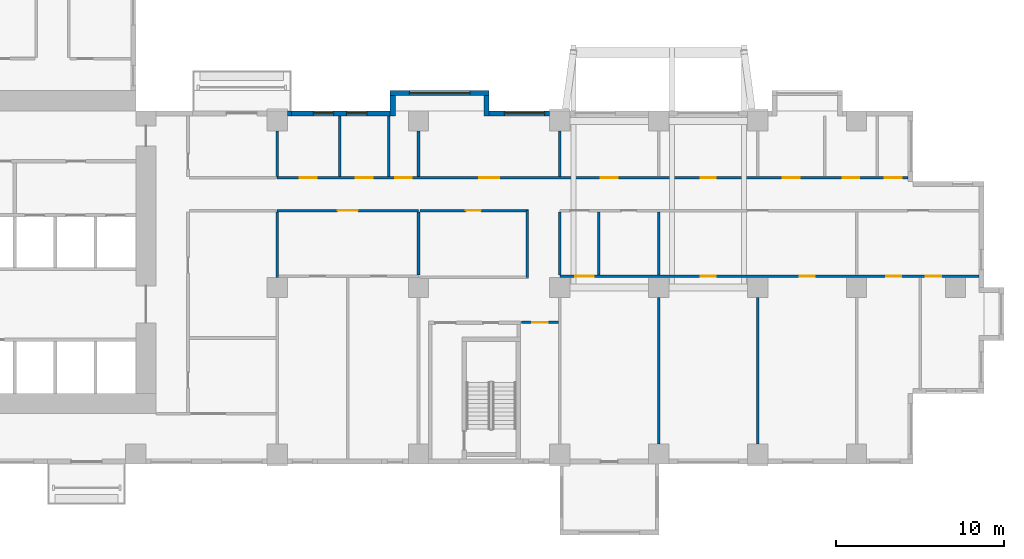
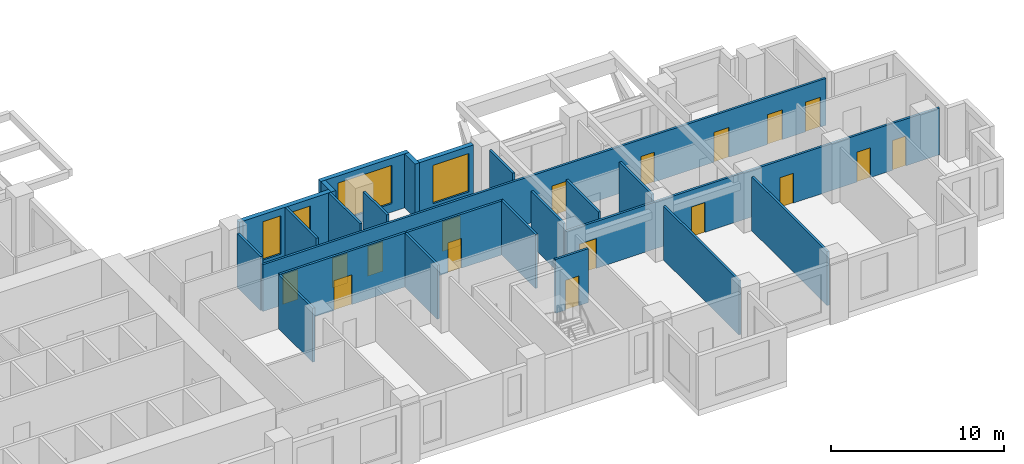
# One storey, part 5 of 14: 24 walls, 17 doors, 4 windows, 21 openings.
"""IFC4 building model written with IfcOpenShell, lengths in metres."""

from ifc_helpers import new_model, si_unit, direction, frame, frame_2d, origin, place, context, subcontext, project, spatial, rectangle, extrude, source, transform, mapped, material, layer, layer_set, type_object, element, fill, save


model = new_model("IFC4")

# Units and contexts
model_context = context("Model", 3, precision=1e-05, world=origin(), true_north=direction((0.0, 1.0)))
body_context = subcontext(model_context, "Body", "Model", "MODEL_VIEW")
ifc_project = project(units=[si_unit("LENGTHUNIT", "METRE"), si_unit("AREAUNIT", "SQUARE_METRE"), si_unit("VOLUMEUNIT", "CUBIC_METRE"), si_unit("PLANEANGLEUNIT", "RADIAN"), si_unit("MASSUNIT", "GRAM", prefix="KILO")], contexts=[model_context])

# Site, building, storey
site_placement = place(None, origin())
site = spatial("IfcSite", under=ifc_project, at=site_placement, CompositionType="ELEMENT")
building_placement = place(site_placement, origin())
building = spatial("IfcBuilding", under=site, at=building_placement, Name="Aurelian Terraces", CompositionType="ELEMENT")
storey_placement = place(building_placement, frame((0.0, 0.0, 44.7)))
storey = spatial("IfcBuildingStorey", under=building, at=storey_placement, Name="L08", CompositionType="ELEMENT", Elevation=44.7)

# Wall, openings, doors
ifc_material_1 = material(Name="Gypsum board on steel studs", Category="steel")
ifc_layer_1 = layer(ifc_material_1, 0.15)
ifc_layer_set_1 = layer_set([ifc_layer_1], Name="Fire partition 150")
wall_type_1 = type_object("IfcWallType", Name="Fire partition 150", PredefinedType="PARTITIONING", material=ifc_layer_set_1)
wall_1_placement = place(storey_placement, frame((29.4, 17.025, 0.0), z_axis=(0.0, 0.0, 1.0), x_axis=(1.0, 0.0, 0.0)))
wall_1 = element("IfcWall", 1, at=wall_1_placement, inside=storey, type_object=wall_type_1, Name="Corridor wall", PredefinedType="PARTITIONING", context=body_context, shape_type="SweptSolid", body=[
    extrude(rectangle(XDim=37.5, YDim=0.15, at=frame_2d((18.75, 0.0))), origin(), (0.0, 0.0, 1.0), 3.3),
])
shared_shape_1 = source(origin(), body_context, "Body", "SweptSolid", [
    extrude(rectangle(XDim=1.0, YDim=2.1, at=frame_2d((0.5, 1.05))), frame((0.0, 0.085, 0.0), z_axis=(0.0, -1.0, 0.0), x_axis=(1.0, 0.0, 0.0)), (0.0, 0.0, 1.0), 0.17),
])
opening_1_placement = place(wall_1_placement, frame((1.3567, 0.0, 0.0)))
opening_1 = element("IfcOpeningElement", 2, at=opening_1_placement, cuts=wall_1, Name="Opening 708019", PredefinedType="OPENING", context=body_context, shape_type="MappedRepresentation", body=[
    mapped(shared_shape_1, transform((0.0, 0.0, 0.0), scale=1.0)),
])
opening_2_placement = place(wall_1_placement, frame((4.6686, 0.0, 0.0)))
opening_2 = element("IfcOpeningElement", 3, at=opening_2_placement, cuts=wall_1, Name="Opening 708020", PredefinedType="OPENING", context=body_context, shape_type="MappedRepresentation", body=[
    mapped(shared_shape_1, transform((0.0, 0.0, 0.0), scale=1.0)),
])
opening_3_placement = place(wall_1_placement, frame((7.012, 0.0, 0.0)))
opening_3 = element("IfcOpeningElement", 4, at=opening_3_placement, cuts=wall_1, Name="Opening 708021", PredefinedType="OPENING", context=body_context, shape_type="MappedRepresentation", body=[
    mapped(shared_shape_1, transform((0.0, 0.0, 0.0), scale=1.0)),
])
shared_shape_2 = source(origin(), body_context, "Body", "SweptSolid", [
    extrude(rectangle(XDim=1.2, YDim=2.1, at=frame_2d((0.6, 1.05))), frame((0.0, 0.085, 0.0), z_axis=(0.0, -1.0, 0.0), x_axis=(1.0, 0.0, 0.0)), (0.0, 0.0, 1.0), 0.17),
])
opening_4_placement = place(wall_1_placement, frame((12.0, 0.0, 0.0)))
opening_4 = element("IfcOpeningElement", 5, at=opening_4_placement, cuts=wall_1, Name="Opening 708022", PredefinedType="OPENING", context=body_context, shape_type="MappedRepresentation", body=[
    mapped(shared_shape_2, transform((0.0, 0.0, 0.0), scale=1.0)),
])
opening_5_placement = place(wall_1_placement, frame((19.24, 0.0, 0.0)))
opening_5 = element("IfcOpeningElement", 6, at=opening_5_placement, cuts=wall_1, Name="Opening 708023", PredefinedType="OPENING", context=body_context, shape_type="MappedRepresentation", body=[
    mapped(shared_shape_1, transform((0.0, 0.0, 0.0), scale=1.0)),
])
shared_shape_3 = source(origin(), body_context, "Body", "SweptSolid", [
    extrude(rectangle(XDim=0.9, YDim=2.1, at=frame_2d((0.45, 1.05))), frame((0.0, 0.085, 0.0), z_axis=(0.0, -1.0, 0.0), x_axis=(1.0, 0.0, 0.0)), (0.0, 0.0, 1.0), 0.17),
])
opening_6_placement = place(wall_1_placement, frame((25.17, 0.0, 0.0)))
opening_6 = element("IfcOpeningElement", 7, at=opening_6_placement, cuts=wall_1, Name="Opening 708024", PredefinedType="OPENING", context=body_context, shape_type="MappedRepresentation", body=[
    mapped(shared_shape_3, transform((0.0, 0.0, 0.0), scale=1.0)),
])
opening_7_placement = place(wall_1_placement, frame((30.0523, 0.0, 0.0)))
opening_7 = element("IfcOpeningElement", 8, at=opening_7_placement, cuts=wall_1, Name="Opening 708025", PredefinedType="OPENING", context=body_context, shape_type="MappedRepresentation", body=[
    mapped(shared_shape_1, transform((0.0, 0.0, 0.0), scale=1.0)),
])
opening_8_placement = place(wall_1_placement, frame((33.6084, 0.0, 0.0)))
opening_8 = element("IfcOpeningElement", 9, at=opening_8_placement, cuts=wall_1, Name="Opening 708026", PredefinedType="OPENING", context=body_context, shape_type="MappedRepresentation", body=[
    mapped(shared_shape_1, transform((0.0, 0.0, 0.0), scale=1.0)),
])
opening_9_placement = place(wall_1_placement, frame((36.1236, 0.0, 0.0)))
opening_9 = element("IfcOpeningElement", 10, at=opening_9_placement, cuts=wall_1, Name="Opening 708027", PredefinedType="OPENING", context=body_context, shape_type="MappedRepresentation", body=[
    mapped(shared_shape_1, transform((0.0, 0.0, 0.0), scale=1.0)),
])
ifc_material_2 = material(Name="Timber door leaf", Category="wood")
door_type_1 = type_object("IfcDoorType", Name="Room door 1000x2100 right", OperationType="SINGLE_SWING_RIGHT", PredefinedType="DOOR", material=ifc_material_2)
shared_shape_4 = source(origin(), body_context, "Body", "SweptSolid", [
    extrude(rectangle(XDim=1.0, YDim=2.1, at=frame_2d((0.5, 1.05))), frame((0.0, 0.025, 0.0), z_axis=(0.0, -1.0, 0.0), x_axis=(1.0, 0.0, 0.0)), (0.0, 0.0, 1.0), 0.05),
])
door_1_placement = place(opening_1_placement, origin())
door_1 = element("IfcDoor", 11, at=door_1_placement, inside=storey, type_object=door_type_1, Name="Door 708019", OperationType="SINGLE_SWING_RIGHT", OverallHeight=2.1, OverallWidth=1.0, PredefinedType="DOOR", context=body_context, shape_type="MappedRepresentation", body=[
    mapped(shared_shape_4, transform((0.0, 0.0, 0.0), scale=1.0)),
])
fill(opening_1, door_1)
door_type_2 = type_object("IfcDoorType", Name="Room door 1000x2100 left", OperationType="SINGLE_SWING_LEFT", PredefinedType="DOOR", material=ifc_material_2)
door_2_placement = place(opening_2_placement, origin())
door_2 = element("IfcDoor", 12, at=door_2_placement, inside=storey, type_object=door_type_2, Name="Door 708020", OperationType="SINGLE_SWING_LEFT", OverallHeight=2.1, OverallWidth=1.0, PredefinedType="DOOR", context=body_context, shape_type="MappedRepresentation", body=[
    mapped(shared_shape_4, transform((0.0, 0.0, 0.0), scale=1.0)),
])
fill(opening_2, door_2)
door_3_placement = place(opening_3_placement, origin())
door_3 = element("IfcDoor", 13, at=door_3_placement, inside=storey, type_object=door_type_1, Name="Door 708021", OperationType="SINGLE_SWING_RIGHT", OverallHeight=2.1, OverallWidth=1.0, PredefinedType="DOOR", context=body_context, shape_type="MappedRepresentation", body=[
    mapped(shared_shape_4, transform((0.0, 0.0, 0.0), scale=1.0)),
])
fill(opening_3, door_3)
door_4_placement = place(opening_5_placement, origin())
door_4 = element("IfcDoor", 14, at=door_4_placement, inside=storey, type_object=door_type_1, Name="Door 708023", OperationType="SINGLE_SWING_RIGHT", OverallHeight=2.1, OverallWidth=1.0, PredefinedType="DOOR", context=body_context, shape_type="MappedRepresentation", body=[
    mapped(shared_shape_4, transform((0.0, 0.0, 0.0), scale=1.0)),
])
fill(opening_5, door_4)
door_5_placement = place(opening_7_placement, origin())
door_5 = element("IfcDoor", 15, at=door_5_placement, inside=storey, type_object=door_type_1, Name="Door 708025", OperationType="SINGLE_SWING_RIGHT", OverallHeight=2.1, OverallWidth=1.0, PredefinedType="DOOR", context=body_context, shape_type="MappedRepresentation", body=[
    mapped(shared_shape_4, transform((0.0, 0.0, 0.0), scale=1.0)),
])
fill(opening_7, door_5)
door_6_placement = place(opening_8_placement, origin())
door_6 = element("IfcDoor", 16, at=door_6_placement, inside=storey, type_object=door_type_2, Name="Door 708026", OperationType="SINGLE_SWING_LEFT", OverallHeight=2.1, OverallWidth=1.0, PredefinedType="DOOR", context=body_context, shape_type="MappedRepresentation", body=[
    mapped(shared_shape_4, transform((0.0, 0.0, 0.0), scale=1.0)),
])
fill(opening_8, door_6)
door_7_placement = place(opening_9_placement, origin())
door_7 = element("IfcDoor", 17, at=door_7_placement, inside=storey, type_object=door_type_1, Name="Door 708027", OperationType="SINGLE_SWING_RIGHT", OverallHeight=2.1, OverallWidth=1.0, PredefinedType="DOOR", context=body_context, shape_type="MappedRepresentation", body=[
    mapped(shared_shape_4, transform((0.0, 0.0, 0.0), scale=1.0)),
])
fill(opening_9, door_7)
door_type_3 = type_object("IfcDoorType", Name="Room door 900x2100 right", OperationType="SINGLE_SWING_RIGHT", PredefinedType="DOOR", material=ifc_material_2)
shared_shape_5 = source(origin(), body_context, "Body", "SweptSolid", [
    extrude(rectangle(XDim=0.9, YDim=2.1, at=frame_2d((0.45, 1.05))), frame((0.0, 0.025, 0.0), z_axis=(0.0, -1.0, 0.0), x_axis=(1.0, 0.0, 0.0)), (0.0, 0.0, 1.0), 0.05),
])
door_8_placement = place(opening_6_placement, origin())
door_8 = element("IfcDoor", 18, at=door_8_placement, inside=storey, type_object=door_type_3, Name="Door 708024", OperationType="SINGLE_SWING_RIGHT", OverallHeight=2.1, OverallWidth=0.9, PredefinedType="DOOR", context=body_context, shape_type="MappedRepresentation", body=[
    mapped(shared_shape_5, transform((0.0, 0.0, 0.0), scale=1.0)),
])
fill(opening_6, door_8)
door_type_4 = type_object("IfcDoorType", Name="Room door 1200x2100 right", OperationType="SINGLE_SWING_RIGHT", PredefinedType="DOOR", material=ifc_material_2)
shared_shape_6 = source(origin(), body_context, "Body", "SweptSolid", [
    extrude(rectangle(XDim=1.2, YDim=2.1, at=frame_2d((0.6, 1.05))), frame((0.0, 0.025, 0.0), z_axis=(0.0, -1.0, 0.0), x_axis=(1.0, 0.0, 0.0)), (0.0, 0.0, 1.0), 0.05),
])
door_9_placement = place(opening_4_placement, origin())
door_9 = element("IfcDoor", 19, at=door_9_placement, inside=storey, type_object=door_type_4, Name="Door 708022", OperationType="SINGLE_SWING_RIGHT", OverallHeight=2.1, OverallWidth=1.2, PredefinedType="DOOR", context=body_context, shape_type="MappedRepresentation", body=[
    mapped(shared_shape_6, transform((0.0, 0.0, 0.0), scale=1.0)),
])
fill(opening_4, door_9)

ifc_layer_2 = layer(ifc_material_1, 0.15)
ifc_layer_set_2 = layer_set([ifc_layer_2], Name="Partition 150")
wall_type_2 = type_object("IfcWallType", Name="Partition 150", PredefinedType="PARTITIONING", material=ifc_layer_set_2)
wall_2_placement = place(storey_placement, frame((71.1, 11.175, 0.0), z_axis=(0.0, 0.0, 1.0), x_axis=(-1.0, 0.0, 0.0)))
wall_2 = element("IfcWall", 20, at=wall_2_placement, inside=storey, type_object=wall_type_2, Name="Partition", PredefinedType="PARTITIONING", context=body_context, shape_type="SweptSolid", body=[
    extrude(rectangle(XDim=24.9, YDim=0.15, at=frame_2d((12.45, 0.0))), origin(), (0.0, 0.0, 1.0), 3.3),
])
shared_shape_7 = source(origin(), body_context, "Body", "SweptSolid", [
    extrude(rectangle(XDim=1.1, YDim=2.1, at=frame_2d((0.55, 1.05))), frame((0.0, 0.085, 0.0), z_axis=(0.0, -1.0, 0.0), x_axis=(1.0, 0.0, 0.0)), (0.0, 0.0, 1.0), 0.17),
])
opening_10_placement = place(wall_2_placement, frame((22.875, 0.0, 0.0)))
opening_10 = element("IfcOpeningElement", 21, at=opening_10_placement, cuts=wall_2, Name="Opening 708011", PredefinedType="OPENING", context=body_context, shape_type="MappedRepresentation", body=[
    mapped(shared_shape_7, transform((0.0, 0.0, 0.0), scale=1.0)),
])
opening_11_placement = place(wall_2_placement, frame((15.6325, 0.0, 0.0)))
opening_11 = element("IfcOpeningElement", 22, at=opening_11_placement, cuts=wall_2, Name="Opening 708014", PredefinedType="OPENING", context=body_context, shape_type="MappedRepresentation", body=[
    mapped(shared_shape_3, transform((0.0, 0.0, 0.0), scale=1.0)),
])
opening_12_placement = place(wall_2_placement, frame((9.7525, 0.0, 0.0)))
opening_12 = element("IfcOpeningElement", 23, at=opening_12_placement, cuts=wall_2, Name="Opening 708015", PredefinedType="OPENING", context=body_context, shape_type="MappedRepresentation", body=[
    mapped(shared_shape_3, transform((0.0, 0.0, 0.0), scale=1.0)),
])
opening_13_placement = place(wall_2_placement, frame((4.6075, 0.0, 0.0)))
opening_13 = element("IfcOpeningElement", 24, at=opening_13_placement, cuts=wall_2, Name="Opening 708017", PredefinedType="OPENING", context=body_context, shape_type="MappedRepresentation", body=[
    mapped(shared_shape_3, transform((0.0, 0.0, 0.0), scale=1.0)),
])
opening_14_placement = place(wall_2_placement, frame((2.2425, 0.0, 0.0)))
opening_14 = element("IfcOpeningElement", 25, at=opening_14_placement, cuts=wall_2, Name="Opening 708018", PredefinedType="OPENING", context=body_context, shape_type="MappedRepresentation", body=[
    mapped(shared_shape_3, transform((0.0, 0.0, 0.0), scale=1.0)),
])
door_type_5 = type_object("IfcDoorType", Name="Room door 900x2100 left", OperationType="SINGLE_SWING_LEFT", PredefinedType="DOOR", material=ifc_material_2)
door_10_placement = place(opening_11_placement, origin())
door_10 = element("IfcDoor", 26, at=door_10_placement, inside=storey, type_object=door_type_5, Name="Door 708014", OperationType="SINGLE_SWING_LEFT", OverallHeight=2.1, OverallWidth=0.9, PredefinedType="DOOR", context=body_context, shape_type="MappedRepresentation", body=[
    mapped(shared_shape_5, transform((0.0, 0.0, 0.0), scale=1.0)),
])
fill(opening_11, door_10)
door_11_placement = place(opening_12_placement, origin())
door_11 = element("IfcDoor", 27, at=door_11_placement, inside=storey, type_object=door_type_3, Name="Door 708015", OperationType="SINGLE_SWING_RIGHT", OverallHeight=2.1, OverallWidth=0.9, PredefinedType="DOOR", context=body_context, shape_type="MappedRepresentation", body=[
    mapped(shared_shape_5, transform((0.0, 0.0, 0.0), scale=1.0)),
])
fill(opening_12, door_11)
door_12_placement = place(opening_13_placement, origin())
door_12 = element("IfcDoor", 28, at=door_12_placement, inside=storey, type_object=door_type_5, Name="Door 708017", OperationType="SINGLE_SWING_LEFT", OverallHeight=2.1, OverallWidth=0.9, PredefinedType="DOOR", context=body_context, shape_type="MappedRepresentation", body=[
    mapped(shared_shape_5, transform((0.0, 0.0, 0.0), scale=1.0)),
])
fill(opening_13, door_12)
door_13_placement = place(opening_14_placement, origin())
door_13 = element("IfcDoor", 29, at=door_13_placement, inside=storey, type_object=door_type_3, Name="Door 708018", OperationType="SINGLE_SWING_RIGHT", OverallHeight=2.1, OverallWidth=0.9, PredefinedType="DOOR", context=body_context, shape_type="MappedRepresentation", body=[
    mapped(shared_shape_5, transform((0.0, 0.0, 0.0), scale=1.0)),
])
fill(opening_14, door_13)
door_type_6 = type_object("IfcDoorType", Name="Room door 1100x2100 left", OperationType="SINGLE_SWING_LEFT", PredefinedType="DOOR", material=ifc_material_2)
shared_shape_8 = source(origin(), body_context, "Body", "SweptSolid", [
    extrude(rectangle(XDim=1.1, YDim=2.1, at=frame_2d((0.55, 1.05))), frame((0.0, 0.025, 0.0), z_axis=(0.0, -1.0, 0.0), x_axis=(1.0, 0.0, 0.0)), (0.0, 0.0, 1.0), 0.05),
])
door_14_placement = place(opening_10_placement, origin())
door_14 = element("IfcDoor", 30, at=door_14_placement, inside=storey, type_object=door_type_6, Name="Door 708011", OperationType="SINGLE_SWING_LEFT", OverallHeight=2.1, OverallWidth=1.1, PredefinedType="DOOR", context=body_context, shape_type="MappedRepresentation", body=[
    mapped(shared_shape_8, transform((0.0, 0.0, 0.0), scale=1.0)),
])
fill(opening_10, door_14)

# Walls
ifc_material_3 = material(Name="Terracotta rainscreen cladding", Category="masonry")
ifc_layer_3 = layer(ifc_material_3, 0.3)
ifc_layer_set_3 = layer_set([ifc_layer_3], Name="EW-300")
wall_type_3 = type_object("IfcWallType", Name="EW-300", PredefinedType="STANDARD", material=ifc_layer_set_3)
shared_shape_9 = source(origin(), body_context, "Body", "SweptSolid", [
    extrude(rectangle(XDim=1.2, YDim=0.3, at=frame_2d((0.6, 0.0))), origin(), (0.0, 0.0, 1.0), 3.8),
])
for number, where, z_axis, x_axis, name in (
    (31, (41.85, 20.7, 0.0), (0.0, 0.0, 1.0), (0.0, 1.0, 0.0), "Bay return L08 F07.24.1"),
    (32, (36.27, 20.7, 0.0), (0.0, 0.0, 1.0), (0.0, 1.0, 0.0), "Bay return L08 F07.24.2"),
):
    element("IfcWall", number, at=place(storey_placement, frame(where, z_axis=z_axis, x_axis=x_axis)), inside=storey, type_object=wall_type_3, Name=name, PredefinedType="STANDARD", context=body_context, shape_type="MappedRepresentation", body=[
        mapped(shared_shape_9, transform((0.0, 0.0, 0.0), scale=1.0)),
    ])
shared_shape_10 = source(origin(), body_context, "Body", "SweptSolid", [
    extrude(rectangle(XDim=0.24, YDim=0.3, at=frame_2d((0.12, 0.0))), origin(), (0.0, 0.0, 1.0), 3.8),
])
wall_3_placement = place(storey_placement, frame((30.24, 20.85, 0.0), z_axis=(0.0, 0.0, 1.0), x_axis=(-1.0, 0.0, 0.0)))
element("IfcWall", 33, at=wall_3_placement, inside=storey, type_object=wall_type_3, Name="External wall L08 F07.26", PredefinedType="STANDARD", context=body_context, shape_type="MappedRepresentation", body=[
    mapped(shared_shape_10, transform((0.0, 0.0, 0.0), scale=1.0)),
])

# Wall, opening, window
shared_shape_11 = source(origin(), body_context, "Body", "SweptSolid", [
    extrude(rectangle(XDim=5.88, YDim=0.3, at=frame_2d((2.94, 0.0))), origin(), (0.0, 0.0, 1.0), 3.8),
])
wall_4_placement = place(storey_placement, frame((42.0, 22.05, 0.0), z_axis=(0.0, 0.0, 1.0), x_axis=(-1.0, 0.0, 0.0)))
wall_4 = element("IfcWall", 34, at=wall_4_placement, inside=storey, type_object=wall_type_3, Name="Bay wall L08 F07.24", PredefinedType="STANDARD", context=body_context, shape_type="MappedRepresentation", body=[
    mapped(shared_shape_11, transform((0.0, 0.0, 0.0), scale=1.0)),
])
shared_shape_12 = source(origin(), body_context, "Body", "SweptSolid", [
    extrude(rectangle(XDim=3.6, YDim=2.7, at=frame_2d((1.8, 1.35))), frame((0.0, 0.16, 0.0), z_axis=(0.0, -1.0, 0.0), x_axis=(1.0, 0.0, 0.0)), (0.0, 0.0, 1.0), 0.32),
])
opening_15_placement = place(wall_4_placement, frame((1.14, 0.0, 0.6)))
opening_15 = element("IfcOpeningElement", 35, at=opening_15_placement, cuts=wall_4, Name="Opening W3627", PredefinedType="OPENING", context=body_context, shape_type="MappedRepresentation", body=[
    mapped(shared_shape_12, transform((0.0, 0.0, 0.0), scale=1.0)),
])
ifc_material_4 = material(Name="Clear glazing", Category="glass")
window_type_1 = type_object("IfcWindowType", Name="W-3600x2700", PartitioningType="SINGLE_PANEL", PredefinedType="WINDOW", material=ifc_material_4)
shared_shape_13 = source(origin(), body_context, "Body", "SweptSolid", [
    extrude(rectangle(XDim=3.6, YDim=2.7, at=frame_2d((1.8, 1.35))), frame((0.0, 0.03, 0.0), z_axis=(0.0, -1.0, 0.0), x_axis=(1.0, 0.0, 0.0)), (0.0, 0.0, 1.0), 0.06),
])
window_1_placement = place(opening_15_placement, origin())
window_1 = element("IfcWindow", 36, at=window_1_placement, inside=storey, type_object=window_type_1, Name="Window L08 L08-F07-24-0", OverallHeight=2.7, OverallWidth=3.6, PartitioningType="SINGLE_PANEL", PredefinedType="WINDOW", context=body_context, shape_type="MappedRepresentation", body=[
    mapped(shared_shape_13, transform((0.0, 0.0, 0.0), scale=1.0)),
])
fill(opening_15, window_1)

# Wall, openings, windows
wall_5_placement = place(storey_placement, frame((36.12, 20.85, 0.0), z_axis=(0.0, 0.0, 1.0), x_axis=(-1.0, 0.0, 0.0)))
wall_5 = element("IfcWall", 37, at=wall_5_placement, inside=storey, type_object=wall_type_3, Name="External wall L08 F07.25", PredefinedType="STANDARD", context=body_context, shape_type="MappedRepresentation", body=[
    mapped(shared_shape_11, transform((0.0, 0.0, 0.0), scale=1.0)),
])
shared_shape_14 = source(origin(), body_context, "Body", "SweptSolid", [
    extrude(rectangle(XDim=1.2, YDim=2.7, at=frame_2d((0.6, 1.35))), frame((0.0, 0.16, 0.0), z_axis=(0.0, -1.0, 0.0), x_axis=(1.0, 0.0, 0.0)), (0.0, 0.0, 1.0), 0.32),
])
opening_16_placement = place(wall_5_placement, frame((1.386, 0.0, 0.6)))
opening_16 = element("IfcOpeningElement", 38, at=opening_16_placement, cuts=wall_5, Name="Opening W1227", PredefinedType="OPENING", context=body_context, shape_type="MappedRepresentation", body=[
    mapped(shared_shape_14, transform((0.0, 0.0, 0.0), scale=1.0)),
])
opening_17_placement = place(wall_5_placement, frame((3.361, 0.0, 0.6)))
opening_17 = element("IfcOpeningElement", 39, at=opening_17_placement, cuts=wall_5, Name="Opening W1227", PredefinedType="OPENING", context=body_context, shape_type="MappedRepresentation", body=[
    mapped(shared_shape_14, transform((0.0, 0.0, 0.0), scale=1.0)),
])
window_type_2 = type_object("IfcWindowType", Name="W-1200x2700", PartitioningType="SINGLE_PANEL", PredefinedType="WINDOW", material=ifc_material_4)
shared_shape_15 = source(origin(), body_context, "Body", "SweptSolid", [
    extrude(rectangle(XDim=1.2, YDim=2.7, at=frame_2d((0.6, 1.35))), frame((0.0, 0.03, 0.0), z_axis=(0.0, -1.0, 0.0), x_axis=(1.0, 0.0, 0.0)), (0.0, 0.0, 1.0), 0.06),
])
window_2_placement = place(opening_16_placement, origin())
window_2 = element("IfcWindow", 40, at=window_2_placement, inside=storey, type_object=window_type_2, Name="Window L08 L08-F07-25-0.1", OverallHeight=2.7, OverallWidth=1.2, PartitioningType="SINGLE_PANEL", PredefinedType="WINDOW", context=body_context, shape_type="MappedRepresentation", body=[
    mapped(shared_shape_15, transform((0.0, 0.0, 0.0), scale=1.0)),
])
fill(opening_16, window_2)
window_3_placement = place(opening_17_placement, origin())
window_3 = element("IfcWindow", 41, at=window_3_placement, inside=storey, type_object=window_type_2, Name="Window L08 L08-F07-25-0.2", OverallHeight=2.7, OverallWidth=1.2, PartitioningType="SINGLE_PANEL", PredefinedType="WINDOW", context=body_context, shape_type="MappedRepresentation", body=[
    mapped(shared_shape_15, transform((0.0, 0.0, 0.0), scale=1.0)),
])
fill(opening_17, window_3)

# Wall, opening, window
shared_shape_16 = source(origin(), body_context, "Body", "SweptSolid", [
    extrude(rectangle(XDim=3.6, YDim=0.3, at=frame_2d((1.8, 0.0))), origin(), (0.0, 0.0, 1.0), 3.8),
])
wall_6_placement = place(storey_placement, frame((45.6, 20.85, 0.0), z_axis=(0.0, 0.0, 1.0), x_axis=(-1.0, 0.0, 0.0)))
wall_6 = element("IfcWall", 42, at=wall_6_placement, inside=storey, type_object=wall_type_3, Name="External wall L08 F07.23", PredefinedType="STANDARD", context=body_context, shape_type="MappedRepresentation", body=[
    mapped(shared_shape_16, transform((0.0, 0.0, 0.0), scale=1.0)),
])
shared_shape_17 = source(origin(), body_context, "Body", "SweptSolid", [
    extrude(rectangle(XDim=2.4, YDim=2.7, at=frame_2d((1.2, 1.35))), frame((0.0, 0.16, 0.0), z_axis=(0.0, -1.0, 0.0), x_axis=(1.0, 0.0, 0.0)), (0.0, 0.0, 1.0), 0.32),
])
opening_18_placement = place(wall_6_placement, frame((0.3, 0.0, 0.6)))
opening_18 = element("IfcOpeningElement", 43, at=opening_18_placement, cuts=wall_6, Name="Opening W2427", PredefinedType="OPENING", context=body_context, shape_type="MappedRepresentation", body=[
    mapped(shared_shape_17, transform((0.0, 0.0, 0.0), scale=1.0)),
])
window_type_3 = type_object("IfcWindowType", Name="W-2400x2700", PartitioningType="SINGLE_PANEL", PredefinedType="WINDOW", material=ifc_material_4)
shared_shape_18 = source(origin(), body_context, "Body", "SweptSolid", [
    extrude(rectangle(XDim=2.4, YDim=2.7, at=frame_2d((1.2, 1.35))), frame((0.0, 0.03, 0.0), z_axis=(0.0, -1.0, 0.0), x_axis=(1.0, 0.0, 0.0)), (0.0, 0.0, 1.0), 0.06),
])
window_4_placement = place(opening_18_placement, origin())
window_4 = element("IfcWindow", 44, at=window_4_placement, inside=storey, type_object=window_type_3, Name="Window L08 L08-F07-23-0", OverallHeight=2.7, OverallWidth=2.4, PartitioningType="SINGLE_PANEL", PredefinedType="WINDOW", context=body_context, shape_type="MappedRepresentation", body=[
    mapped(shared_shape_18, transform((0.0, 0.0, 0.0), scale=1.0)),
])
fill(opening_18, window_4)

# Wall, opening, door
shared_shape_19 = source(origin(), body_context, "Body", "SweptSolid", [
    extrude(rectangle(XDim=6.45, YDim=0.15, at=frame_2d((3.225, 0.0))), origin(), (0.0, 0.0, 1.0), 3.8),
])
wall_7_placement = place(storey_placement, frame((44.325, 15.075, 0.0), z_axis=(0.0, 0.0, 1.0), x_axis=(-1.0, 0.0, 0.0)))
wall_7 = element("IfcWall", 45, at=wall_7_placement, inside=storey, type_object=wall_type_1, Name="Corridor wall", PredefinedType="PARTITIONING", context=body_context, shape_type="MappedRepresentation", body=[
    mapped(shared_shape_19, transform((0.0, 0.0, 0.0), scale=1.0)),
])
opening_19_placement = place(wall_7_placement, frame((2.8125, 0.0, 0.0)))
opening_19 = element("IfcOpeningElement", 46, at=opening_19_placement, cuts=wall_7, Name="Opening 708005", PredefinedType="OPENING", context=body_context, shape_type="MappedRepresentation", body=[
    mapped(shared_shape_3, transform((0.0, 0.0, 0.0), scale=1.0)),
])
door_15_placement = place(opening_19_placement, origin())
door_15 = element("IfcDoor", 47, at=door_15_placement, inside=storey, type_object=door_type_5, Name="Door 708005", OperationType="SINGLE_SWING_LEFT", OverallHeight=2.1, OverallWidth=0.9, PredefinedType="DOOR", context=body_context, shape_type="MappedRepresentation", body=[
    mapped(shared_shape_5, transform((0.0, 0.0, 0.0), scale=1.0)),
])
fill(opening_19, door_15)

# Walls
shared_shape_20 = source(origin(), body_context, "Body", "SweptSolid", [
    extrude(rectangle(XDim=3.75, YDim=0.15, at=frame_2d((1.875, 0.0))), origin(), (0.0, 0.0, 1.0), 3.8),
])
for number, where, z_axis, x_axis, name in (
    (48, (37.8, 11.25, 0.0), (0.0, 0.0, 1.0), (0.0, 1.0, 0.0), "Partition"),
    (49, (48.525, 11.25, 0.0), (0.0, 0.0, 1.0), (0.0, 1.0, 0.0), "Partition"),
    (50, (46.2, 11.25, 0.0), (0.0, 0.0, 1.0), (0.0, 1.0, 0.0), "Partition"),
    (51, (52.08, 11.25, 0.0), (0.0, 0.0, 1.0), (0.0, 1.0, 0.0), "Partition"),
):
    element("IfcWall", number, at=place(storey_placement, frame(where, z_axis=z_axis, x_axis=x_axis)), inside=storey, type_object=wall_type_2, Name=name, PredefinedType="PARTITIONING", context=body_context, shape_type="MappedRepresentation", body=[
        mapped(shared_shape_20, transform((0.0, 0.0, 0.0), scale=1.0)),
    ])
shared_shape_21 = source(origin(), body_context, "Body", "SweptSolid", [
    extrude(rectangle(XDim=8.702, YDim=0.15, at=frame_2d((4.351, 0.0))), origin(), (0.0, 0.0, 1.0), 3.8),
])
for number, where, z_axis, x_axis, name in (
    (52, (57.96, 1.199, 0.0), (0.0, 0.0, 1.0), (0.0, 1.0, 0.0), "Partition"),
    (53, (52.08, 1.199, 0.0), (0.0, 0.0, 1.0), (0.0, 1.0, 0.0), "Partition"),
):
    element("IfcWall", number, at=place(storey_placement, frame(where, z_axis=z_axis, x_axis=x_axis)), inside=storey, type_object=wall_type_2, Name=name, PredefinedType="PARTITIONING", context=body_context, shape_type="MappedRepresentation", body=[
        mapped(shared_shape_21, transform((0.0, 0.0, 0.0), scale=1.0)),
    ])
shared_shape_22 = source(origin(), body_context, "Body", "SweptSolid", [
    extrude(rectangle(XDim=3.6, YDim=0.15, at=frame_2d((1.8, 0.0))), origin(), (0.0, 0.0, 1.0), 3.8),
])
for number, where, z_axis, x_axis, name in (
    (54, (33.1133, 20.7, 0.0), (0.0, 0.0, 1.0), (0.0, -1.0, 0.0), "Partition"),
    (55, (36.024, 20.7, 0.0), (0.0, 0.0, 1.0), (0.0, -1.0, 0.0), "Partition"),
):
    element("IfcWall", number, at=place(storey_placement, frame(where, z_axis=z_axis, x_axis=x_axis)), inside=storey, type_object=wall_type_2, Name=name, PredefinedType="PARTITIONING", context=body_context, shape_type="MappedRepresentation", body=[
        mapped(shared_shape_22, transform((0.0, 0.0, 0.0), scale=1.0)),
    ])
shared_shape_23 = source(origin(), body_context, "Body", "SweptSolid", [
    extrude(rectangle(XDim=2.701, YDim=0.15, at=frame_2d((1.3505, 0.0))), origin(), (0.0, 0.0, 1.0), 3.8),
])
for number, where, z_axis, x_axis, name in (
    (56, (29.4, 17.1, 0.0), (0.0, 0.0, 1.0), (0.0, 1.0, 0.0), "Partition"),
    (57, (37.8, 17.1, 0.0), (0.0, 0.0, 1.0), (0.0, 1.0, 0.0), "Partition"),
    (58, (46.2, 17.1, 0.0), (0.0, 0.0, 1.0), (0.0, 1.0, 0.0), "Partition"),
):
    element("IfcWall", number, at=place(storey_placement, frame(where, z_axis=z_axis, x_axis=x_axis)), inside=storey, type_object=wall_type_2, Name=name, PredefinedType="PARTITIONING", context=body_context, shape_type="MappedRepresentation", body=[
        mapped(shared_shape_23, transform((0.0, 0.0, 0.0), scale=1.0)),
    ])

# Wall, opening, door
shared_shape_24 = source(origin(), body_context, "Body", "SweptSolid", [
    extrude(rectangle(XDim=8.4, YDim=0.15, at=frame_2d((4.2, 0.0))), origin(), (0.0, 0.0, 1.0), 3.8),
])
wall_8_placement = place(storey_placement, frame((37.8, 15.075, 0.0), z_axis=(0.0, 0.0, 1.0), x_axis=(-1.0, 0.0, 0.0)))
wall_8 = element("IfcWall", 59, at=wall_8_placement, inside=storey, type_object=wall_type_1, Name="Corridor wall", PredefinedType="PARTITIONING", context=body_context, shape_type="MappedRepresentation", body=[
    mapped(shared_shape_24, transform((0.0, 0.0, 0.0), scale=1.0)),
])
opening_20_placement = place(wall_8_placement, frame((3.6, 0.0, 0.0)))
opening_20 = element("IfcOpeningElement", 60, at=opening_20_placement, cuts=wall_8, Name="Opening 708007", PredefinedType="OPENING", context=body_context, shape_type="MappedRepresentation", body=[
    mapped(shared_shape_2, transform((0.0, 0.0, 0.0), scale=1.0)),
])
door_16_placement = place(opening_20_placement, origin())
door_16 = element("IfcDoor", 61, at=door_16_placement, inside=storey, type_object=door_type_4, Name="Door 708007", OperationType="SINGLE_SWING_RIGHT", OverallHeight=2.1, OverallWidth=1.2, PredefinedType="DOOR", context=body_context, shape_type="MappedRepresentation", body=[
    mapped(shared_shape_6, transform((0.0, 0.0, 0.0), scale=1.0)),
])
fill(opening_20, door_16)

# Wall
shared_shape_25 = source(origin(), body_context, "Body", "SweptSolid", [
    extrude(rectangle(XDim=3.901, YDim=0.15, at=frame_2d((1.9505, 0.0))), origin(), (0.0, 0.0, 1.0), 3.8),
])
wall_9_placement = place(storey_placement, frame((29.4, 11.099, 0.0), z_axis=(0.0, 0.0, 1.0), x_axis=(0.0, 1.0, 0.0)))
element("IfcWall", 62, at=wall_9_placement, inside=storey, type_object=wall_type_2, Name="Partition", PredefinedType="PARTITIONING", context=body_context, shape_type="MappedRepresentation", body=[
    mapped(shared_shape_25, transform((0.0, 0.0, 0.0), scale=1.0)),
])

# Wall, opening, door
shared_shape_26 = source(origin(), body_context, "Body", "SweptSolid", [
    extrude(rectangle(XDim=2.2, YDim=0.15, at=frame_2d((1.1, 0.0))), origin(), (0.0, 0.0, 1.0), 3.8),
])
wall_10_placement = place(storey_placement, frame((46.125, 8.425, 0.0), z_axis=(0.0, 0.0, 1.0), x_axis=(-1.0, 0.0, 0.0)))
wall_10 = element("IfcWall", 63, at=wall_10_placement, inside=storey, type_object=wall_type_2, Name="Partition", PredefinedType="PARTITIONING", context=body_context, shape_type="MappedRepresentation", body=[
    mapped(shared_shape_26, transform((0.0, 0.0, 0.0), scale=1.0)),
])
opening_21_placement = place(wall_10_placement, frame((0.65, 0.0, 0.0)))
opening_21 = element("IfcOpeningElement", 64, at=opening_21_placement, cuts=wall_10, Name="Opening 708006", PredefinedType="OPENING", context=body_context, shape_type="MappedRepresentation", body=[
    mapped(shared_shape_3, transform((0.0, 0.0, 0.0), scale=1.0)),
])
door_17_placement = place(opening_21_placement, origin())
door_17 = element("IfcDoor", 65, at=door_17_placement, inside=storey, type_object=door_type_5, Name="Door 708006", OperationType="SINGLE_SWING_LEFT", OverallHeight=2.1, OverallWidth=0.9, PredefinedType="DOOR", context=body_context, shape_type="MappedRepresentation", body=[
    mapped(shared_shape_5, transform((0.0, 0.0, 0.0), scale=1.0)),
])
fill(opening_21, door_17)

# Wall
shared_shape_27 = source(origin(), body_context, "Body", "SweptSolid", [
    extrude(rectangle(XDim=3.975, YDim=0.15, at=frame_2d((1.9875, 0.0))), origin(), (0.0, 0.0, 1.0), 3.8),
])
wall_11_placement = place(storey_placement, frame((44.25, 11.1, 0.0), z_axis=(0.0, 0.0, 1.0), x_axis=(0.0, 1.0, 0.0)))
element("IfcWall", 66, at=wall_11_placement, inside=storey, type_object=wall_type_2, Name="Partition", PredefinedType="PARTITIONING", context=body_context, shape_type="MappedRepresentation", body=[
    mapped(shared_shape_27, transform((0.0, 0.0, 0.0), scale=1.0)),
])

save(model, "model.ifc")
